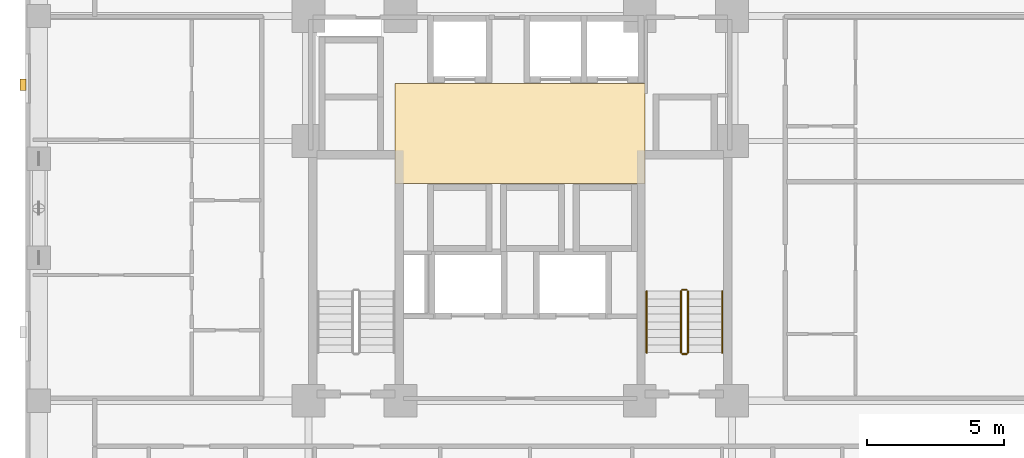
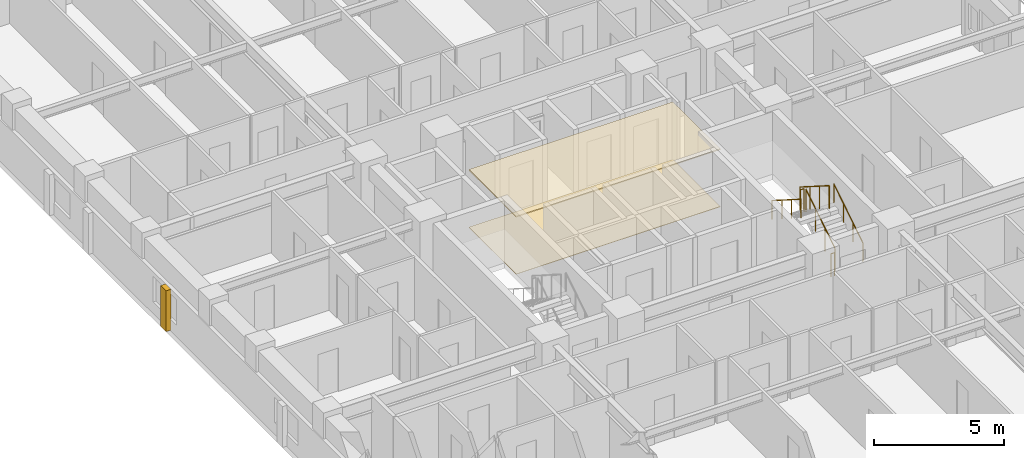
# One storey, part 13 of 14: 6 railings, 3 coverings.
"""IFC4 building model written with IfcOpenShell, lengths in metres."""

import ifcopenshell
import ifcopenshell.guid

model = None  # the IFC model being written
_history = None  # IfcOwnerHistory: only IFC2X3 demands one
_inside = {}  # id of a spatial element -> (the spatial element, [elements in it])
_under = {}  # id of a project, library or spatial element -> (it, [spatial elements below it])
_declared = {}  # id of a project -> (the project, [libraries it declares])
_typed = {}  # id of a type object -> (the type object, [elements of that type])
_made_of = {}  # id of a material, layer set ... -> (it, [elements and type objects made of it])


def new_model(schema):
    """Start an empty IFC model of exactly this schema.

    Asked for "IFC4X3", IfcOpenShell would pick the latest addendum, in which some entities
    have other attributes; the version numbers below select the first issue.
    IFC2X3 requires an IfcOwnerHistory on every rooted entity: one is made here for all.
    """
    global model, _history
    if schema == "IFC4X3":
        model = ifcopenshell.file(schema_version=(4, 3, 0, 0))
    else:
        model = ifcopenshell.file(schema=schema)
    _inside.clear()
    _under.clear()
    _declared.clear()
    _typed.clear()
    _made_of.clear()
    _history = None
    if model.schema == "IFC2X3":
        org = make("IfcOrganization", Name="unknown")
        user = make(
            "IfcPersonAndOrganization",
            ThePerson=make("IfcPerson", FamilyName="unknown"),
            TheOrganization=org,
        )
        app = make(
            "IfcApplication",
            ApplicationDeveloper=org,
            Version="unknown",
            ApplicationFullName="unknown",
            ApplicationIdentifier="unknown",
        )
        _history = make(
            "IfcOwnerHistory",
            OwningUser=user,
            OwningApplication=app,
            ChangeAction="ADDED",
            CreationDate=0,
        )
    return model


def make(cls, **values):
    """One entity of the class cls with the attributes given. An attribute that is None is left unset."""
    return model.create_entity(
        cls, **{name: value for name, value in values.items() if value is not None}
    )


def rooted(cls, **values):
    """An entity with a GlobalId (a new one), such as an element, a storey or a relation."""
    return make(cls, GlobalId=ifcopenshell.guid.new(), OwnerHistory=_history, **values)


def si_unit(unit_type, name, prefix=None):
    """IfcSIUnit, for example si_unit("LENGTHUNIT", "METRE", prefix="MILLI")."""
    return make("IfcSIUnit", UnitType=unit_type, Prefix=prefix, Name=name)


def derived_unit(unit_type, elements):
    """IfcDerivedUnit: a product of units, each with its exponent."""
    return make(
        "IfcDerivedUnit",
        Elements=[
            make("IfcDerivedUnitElement", Unit=unit, Exponent=power)
            for unit, power in elements
        ],
        UnitType=unit_type,
    )


def assignment(units):
    """IfcUnitAssignment: the units of a project."""
    return None if units is None else make("IfcUnitAssignment", Units=units)


def point(xyz):
    """IfcCartesianPoint."""
    return None if xyz is None else make("IfcCartesianPoint", Coordinates=xyz)


def direction(xyz):
    """IfcDirection."""
    return None if xyz is None else make("IfcDirection", DirectionRatios=xyz)


def frame(location, z_axis=None, x_axis=None):
    """IfcAxis2Placement3D, a coordinate frame: its origin and axes. An axis left out is left unset."""
    return make(
        "IfcAxis2Placement3D",
        Location=point(location),
        Axis=direction(z_axis),
        RefDirection=direction(x_axis),
    )


def frame_2d(location, x_axis=None):
    """IfcAxis2Placement2D, a coordinate frame in the plane: its origin and x axis."""
    return make(
        "IfcAxis2Placement2D", Location=point(location), RefDirection=direction(x_axis)
    )


def origin():
    """The frame at (0, 0, 0) with its axes left unset."""
    return frame((0.0, 0.0, 0.0))


def origin_2d():
    """The frame at (0, 0) in the plane with its x axis left unset."""
    return frame_2d((0.0, 0.0))


def place(relative_to, where):
    """IfcLocalPlacement: puts the frame where relative to a parent placement (None: the world)."""
    return make(
        "IfcLocalPlacement", PlacementRelTo=relative_to, RelativePlacement=where
    )


def context(
    kind, dimensions, precision=None, world=None, true_north=None, identifier=None
):
    """IfcGeometricRepresentationContext, for example the 3D "Model" context."""
    return make(
        "IfcGeometricRepresentationContext",
        ContextIdentifier=identifier,
        ContextType=kind,
        CoordinateSpaceDimension=dimensions,
        Precision=precision,
        WorldCoordinateSystem=world,
        TrueNorth=true_north,
    )


def subcontext(parent, identifier, kind, view, scale=None):
    """IfcGeometricRepresentationSubContext, for example "Body" below "Model"."""
    return make(
        "IfcGeometricRepresentationSubContext",
        ContextIdentifier=identifier,
        ContextType=kind,
        ParentContext=parent,
        TargetScale=scale,
        TargetView=view,
    )


def project(units=None, contexts=None):
    """IfcProject with its units and contexts."""
    return rooted(
        "IfcProject",
        Name="project",
        RepresentationContexts=contexts,
        UnitsInContext=assignment(units),
    )


def spatial(cls, under=None, at=None, **own):
    """A site, building, storey or space (cls), placed at a placement, below another one or the project."""
    s = rooted(cls, ObjectPlacement=at, **own)
    if under is not None:
        _under.setdefault(under.id(), (under, []))[1].append(s)
    return s


def polyline(points):
    """IfcPolyline through the points."""
    return make("IfcPolyline", Points=[point(p) for p in points])


def profile(cls, at=None, kind="AREA", **sizes):
    """A parametric profile (cls). Its sizes go by their IFC names, for example OverallWidth=200.0."""
    return make(cls, ProfileType=kind, Position=at, **sizes)


def rectangle(**sizes):
    """IfcRectangleProfileDef."""
    return profile("IfcRectangleProfileDef", **sizes)


def circle(**sizes):
    """IfcCircleProfileDef."""
    return profile("IfcCircleProfileDef", **sizes)


def outline(outer, holes=None, kind="AREA"):
    """IfcArbitraryClosedProfileDef: a profile drawn as a closed curve; with holes, ...WithVoids."""
    if holes is None:
        return make("IfcArbitraryClosedProfileDef", ProfileType=kind, OuterCurve=outer)
    return make(
        "IfcArbitraryProfileDefWithVoids",
        ProfileType=kind,
        OuterCurve=outer,
        InnerCurves=holes,
    )


def extrude(swept, where, along, depth):
    """IfcExtrudedAreaSolid: the profile swept, set in the frame where, extruded along a direction by depth."""
    return make(
        "IfcExtrudedAreaSolid",
        SweptArea=swept,
        Position=where,
        ExtrudedDirection=direction(along),
        Depth=depth,
    )


def shape(context_of_items, identifier, shape_type, items):
    """IfcShapeRepresentation: the items that make up one representation, for example the "Body"."""
    return make(
        "IfcShapeRepresentation",
        ContextOfItems=context_of_items,
        RepresentationIdentifier=identifier,
        RepresentationType=shape_type,
        Items=items,
    )


def material(Name=None, Category=None):
    """IfcMaterial."""
    return make("IfcMaterial", Name=Name, Category=Category)


def layer(
    of_material, thickness, ventilated=None, Name=None, Category=None, Priority=None
):
    """IfcMaterialLayer: one layer of a wall or slab, of a material (None: an air gap)."""
    return make(
        "IfcMaterialLayer",
        Material=of_material,
        LayerThickness=thickness,
        IsVentilated=ventilated,
        Name=Name,
        Category=Category,
        Priority=Priority,
    )


def layer_set(layers, Name=None):
    """IfcMaterialLayerSet."""
    return make("IfcMaterialLayerSet", MaterialLayers=layers, LayerSetName=Name)


def made_of(thing, what):
    """Note that an element or type object is made of a material, layer set ...; save() writes the relation."""
    if what is not None:
        _made_of.setdefault(what.id(), (what, []))[1].append(thing)
    return thing


def type_object(cls, material=None, **own):
    """A type object (cls), such as IfcWallType, which elements share."""
    return made_of(rooted(cls, **own), material)


def element(
    cls,
    number,
    at=None,
    inside=None,
    cuts=None,
    type_object=None,
    material=None,
    context=None,
    identifier="Body",
    shape_type=None,
    held_by="IfcProductDefinitionShape",
    body=None,
    shapes=None,
    **own,
):
    """One element of the class cls, such as IfcWall. Its Tag is "e" and its number.

    at: its placement. inside: the storey or other place that contains it. cuts: it is an
    opening in that element (IfcRelVoidsElement). A single representation is given by context,
    identifier, shape_type and body (its items); several are given by shapes. held_by: the class
    of the entity that holds the representations. save() writes the other relations.
    """
    e = rooted(cls, Tag="e%d" % number, ObjectPlacement=at, **own)
    if body is not None:
        shapes = [shape(context, identifier, shape_type, body)]
    if shapes is not None:
        e.Representation = make(held_by, Representations=shapes)
    if inside is not None:
        _inside.setdefault(inside.id(), (inside, []))[1].append(e)
    if cuts is not None:
        rooted(
            "IfcRelVoidsElement", RelatingBuildingElement=cuts, RelatedOpeningElement=e
        )
    if type_object is not None:
        _typed.setdefault(type_object.id(), (type_object, []))[1].append(e)
    return made_of(e, material)


def aggregate(whole, parts):
    """IfcRelAggregates: a whole, such as a stair, and the parts it consists of."""
    return rooted("IfcRelAggregates", RelatingObject=whole, RelatedObjects=parts)


def save(model, path):
    """Write the relations noted so far, then the file.

    IfcRelAggregates (storeys below a building ...), IfcRelContainedInSpatialStructure (elements
    in a storey), IfcRelDefinesByType, IfcRelAssociatesMaterial and IfcRelDeclares: one each for
    every whole, place, type object, material and project.
    """
    for whole, parts in _under.values():
        aggregate(whole, parts)
    for where, things in _inside.values():
        rooted(
            "IfcRelContainedInSpatialStructure",
            RelatedElements=things,
            RelatingStructure=where,
        )
    for kind, things in _typed.values():
        rooted("IfcRelDefinesByType", RelatedObjects=things, RelatingType=kind)
    for what, things in _made_of.values():
        rooted("IfcRelAssociatesMaterial", RelatedObjects=things, RelatingMaterial=what)
    for by, libraries in _declared.values():
        rooted("IfcRelDeclares", RelatingContext=by, RelatedDefinitions=libraries)
    model.write(path)


model = new_model("IFC4")

# Units and contexts
model_context = context("Model", 3, precision=1e-05, world=origin(), true_north=direction((0.0, 1.0)))
body_context = subcontext(model_context, "Body", "Model", "MODEL_VIEW")
ifc_project = project(units=[si_unit("LENGTHUNIT", "METRE"), si_unit("AREAUNIT", "SQUARE_METRE"), si_unit("VOLUMEUNIT", "CUBIC_METRE"), si_unit("PLANEANGLEUNIT", "RADIAN"), si_unit("MASSUNIT", "GRAM", prefix="KILO"), derived_unit("THERMALTRANSMITTANCEUNIT", [(si_unit("MASSUNIT", "GRAM", prefix="KILO"), 1), (si_unit("TIMEUNIT", "SECOND"), -3), (si_unit("THERMODYNAMICTEMPERATUREUNIT", "KELVIN"), -1)])], contexts=[model_context])

# Site, building, storey
site_placement = place(None, origin())
site = spatial("IfcSite", under=ifc_project, at=site_placement, CompositionType="ELEMENT")
building_placement = place(site_placement, origin())
building = spatial("IfcBuilding", under=site, at=building_placement, Name="Korrvale Station Residences", CompositionType="ELEMENT")
storey_placement = place(building_placement, frame((0.0, 0.0, 48.199951171875)))
storey = spatial("IfcBuildingStorey", under=building, at=storey_placement, Name="L12", CompositionType="ELEMENT", Elevation=48.199951171875)

# Coverings
ifc_material_1 = material(Name="Perforated acoustic mineral-fibre suspended ceiling", Category="gypsum")
ifc_layer_1 = layer(ifc_material_1, 0.050048828125, Name="Perforated acoustic mineral-fibre suspended ceiling")
ifc_layer_set_1 = layer_set([ifc_layer_1], Name="Perforated acoustic mineral-fibre suspended ceiling")
covering_type_1 = type_object("IfcCoveringType", Name="COV-CLG-AC60", PredefinedType="CEILING", material=ifc_layer_set_1)
covering_1_placement = place(storey_placement, frame((0.0, 0.0, 2.68994140625)))
element("IfcCovering", 1, at=covering_1_placement, inside=storey, type_object=covering_type_1, Name="L12 Elevator Lobby Acoustic Ceiling", PredefinedType="CEILING", context=body_context, shape_type="SweptSolid", body=[
    extrude(outline(polyline([(20.949951171875, 22.89990234375), (30.050048828125, 22.89990234375), (30.050048828125, 26.550048828125), (20.949951171875, 26.550048828125), (20.949951171875, 22.89990234375)])), origin(), (0.0, 0.0, 1.0), 0.050048828125),
])
ifc_material_2 = material(Name="Polished quartz-terrazzo lobby flooring", Category="masonry")
ifc_layer_2 = layer(ifc_material_2, 0.02001953125, Name="Polished quartz-terrazzo lobby flooring")
ifc_layer_set_2 = layer_set([ifc_layer_2], Name="Polished quartz-terrazzo lobby flooring")
covering_type_2 = type_object("IfcCoveringType", Name="COV-FLR-TER20", PredefinedType="FLOORING", material=ifc_layer_set_2)
covering_2_placement = place(storey_placement, origin())
element("IfcCovering", 2, at=covering_2_placement, inside=storey, type_object=covering_type_2, Name="L12 Elevator Lobby Terrazzo Flooring", PredefinedType="FLOORING", context=body_context, shape_type="SweptSolid", body=[
    extrude(outline(polyline([(20.949951171875, 22.89990234375), (30.050048828125, 22.89990234375), (30.050048828125, 26.550048828125), (20.949951171875, 26.550048828125), (20.949951171875, 22.89990234375)])), origin(), (0.0, 0.0, 1.0), 0.02001953125),
])
ifc_material_3 = material(Name="Architectural precast concrete C45/55", Category="concrete")
ifc_layer_3 = layer(ifc_material_3, 0.219970703125, Name="Architectural precast concrete C45/55")
ifc_layer_set_3 = layer_set([ifc_layer_3], Name="Architectural precast concrete C45/55")
covering_type_3 = type_object("IfcCoveringType", Name="COV-PIER-400", PredefinedType="CLADDING", material=ifc_layer_set_3)
covering_3_placement = place(storey_placement, frame((7.409912109375, 26.5, 0.02490234375), z_axis=(0.0, 0.0, 1.0), x_axis=(0.0, 1.0, 0.0)))
element("IfcCovering", 3, at=covering_3_placement, inside=storey, type_object=covering_type_3, Name="L12 Architectural Precast Facade Pier 14", PredefinedType="CLADDING", context=body_context, shape_type="SweptSolid", body=[
    extrude(rectangle(XDim=0.419921875, YDim=0.219970703125, at=origin_2d()), origin(), (0.0, 0.0, 1.0), 1.925048828125),
])

# Railings
ifc_material_4 = material(Name="Brushed stainless-steel continuous stair handrail", Category="steel")
railing_type_1 = type_object("IfcRailingType", Name="RLG-SHND-900", PredefinedType="HANDRAIL", material=ifc_material_4)
railing_1_placement = place(storey_placement, frame((32.85009765625, 16.75, 0.177734375)))
element("IfcRailing", 4, at=railing_1_placement, inside=storey, type_object=railing_type_1, Name="L12 ST-2 stair handrail 1", PredefinedType="HANDRAIL", context=body_context, shape_type="SweptSolid", body=[
    extrude(circle(Radius=0.02392578125, at=origin_2d()), frame((0.0, 0.0, 0.8759765625), z_axis=(0.0, 0.84418770128, 0.536047689118), x_axis=(-1.0, 0.0, 0.0)), (0.0, 0.0, 1.0), 2.6533203125),
    extrude(circle(Radius=0.02099609375, at=origin_2d()), origin(), (0.0, 0.0, 1.0), 0.851806640625),
    extrude(circle(Radius=0.02099609375, at=origin_2d()), frame((0.0, 0.74658203125, 0.47412109375)), (0.0, 0.0, 1.0), 0.851806640625),
    extrude(circle(Radius=0.02099609375, at=origin_2d()), frame((0.0, 1.493408203125, 0.9482421875)), (0.0, 0.0, 1.0), 0.851806640625),
    extrude(circle(Radius=0.02099609375, at=origin_2d()), frame((0.0, 2.239990234375, 1.42236328125)), (0.0, 0.0, 1.0), 0.851806640625),
])
railing_2_placement = place(storey_placement, frame((30.10009765625, 18.989990234375, 1.77783203125)))
element("IfcRailing", 5, at=railing_2_placement, inside=storey, type_object=railing_type_1, Name="L12 ST-2 stair handrail 2", PredefinedType="HANDRAIL", context=body_context, shape_type="SweptSolid", body=[
    extrude(circle(Radius=0.02392578125, at=origin_2d()), frame((0.0, 0.0, 0.8759765625), z_axis=(0.0, -0.8442293374, 0.53598211339), x_axis=(1.0, 0.0, 0.0)), (0.0, 0.0, 1.0), 2.6533203125),
    extrude(circle(Radius=0.02099609375, at=origin_2d()), origin(), (0.0, 0.0, 1.0), 0.851806640625),
    extrude(circle(Radius=0.02099609375, at=origin_2d()), frame((0.0, -0.74658203125, 0.47412109375)), (0.0, 0.0, 1.0), 0.851806640625),
    extrude(circle(Radius=0.02099609375, at=origin_2d()), frame((0.0, -1.493408203125, 0.947998046875)), (0.0, 0.0, 1.0), 0.851806640625),
    extrude(circle(Radius=0.02099609375, at=origin_2d()), frame((0.0, -2.239990234375, 1.422119140625)), (0.0, 0.0, 1.0), 0.851806640625),
])
ifc_material_5 = material(Name="Galvanised painted tubular steel stair guard", Category="steel")
railing_type_2 = type_object("IfcRailingType", Name="RLG-STR-1100", PredefinedType="GUARDRAIL", material=ifc_material_5)
railing_3_placement = place(storey_placement, frame((31.60009765625, 16.75, 0.177734375)))
element("IfcRailing", 6, at=railing_3_placement, inside=storey, type_object=railing_type_2, Name="L12 ST-2 stair guard 1", PredefinedType="GUARDRAIL", context=body_context, shape_type="SweptSolid", body=[
    extrude(circle(Radius=0.02392578125, at=origin_2d()), frame((0.0, 0.0, 1.076171875), z_axis=(0.0, 0.84418770128, 0.536047689118), x_axis=(-1.0, 0.0, 0.0)), (0.0, 0.0, 1.0), 2.6533203125),
    extrude(circle(Radius=0.02099609375, at=origin_2d()), origin(), (0.0, 0.0, 1.0), 1.052001953125),
    extrude(circle(Radius=0.02099609375, at=origin_2d()), frame((0.0, 0.74658203125, 0.47412109375)), (0.0, 0.0, 1.0), 1.052001953125),
    extrude(circle(Radius=0.02099609375, at=origin_2d()), frame((0.0, 1.493408203125, 0.9482421875)), (0.0, 0.0, 1.0), 1.052001953125),
    extrude(circle(Radius=0.02099609375, at=origin_2d()), frame((0.0, 2.239990234375, 1.42236328125)), (0.0, 0.0, 1.0), 1.052001953125),
])
railing_4_placement = place(storey_placement, frame((31.550048828125, 19.0400390625, 1.60009765625)))
element("IfcRailing", 7, at=railing_4_placement, inside=storey, type_object=railing_type_2, Name="L12 ST-2 stair guard 2", PredefinedType="GUARDRAIL", context=body_context, shape_type="SweptSolid", body=[
    extrude(circle(Radius=0.02392578125, at=origin_2d()), frame((0.0, 0.0, 1.076171875), z_axis=(-1.0, 0.0, 0.0), x_axis=(0.0, -1.0, 0.0)), (0.0, 0.0, 1.0), 0.150146484375),
    extrude(circle(Radius=0.02099609375, at=origin_2d()), origin(), (0.0, 0.0, 1.0), 1.052001953125),
    extrude(circle(Radius=0.02099609375, at=origin_2d()), frame((-0.150146484375, 0.0, 0.0)), (0.0, 0.0, 1.0), 1.052001953125),
])
railing_5_placement = place(storey_placement, frame((31.35009765625, 18.989990234375, 1.77783203125)))
element("IfcRailing", 8, at=railing_5_placement, inside=storey, type_object=railing_type_2, Name="L12 ST-2 stair guard 3", PredefinedType="GUARDRAIL", context=body_context, shape_type="SweptSolid", body=[
    extrude(circle(Radius=0.02392578125, at=origin_2d()), frame((0.0, 0.0, 1.076171875), z_axis=(0.0, -0.8442293374, 0.53598211339), x_axis=(1.0, 0.0, 0.0)), (0.0, 0.0, 1.0), 2.6533203125),
    extrude(circle(Radius=0.02099609375, at=origin_2d()), origin(), (0.0, 0.0, 1.0), 1.052001953125),
    extrude(circle(Radius=0.02099609375, at=origin_2d()), frame((0.0, -0.74658203125, 0.47412109375)), (0.0, 0.0, 1.0), 1.052001953125),
    extrude(circle(Radius=0.02099609375, at=origin_2d()), frame((0.0, -1.493408203125, 0.947998046875)), (0.0, 0.0, 1.0), 1.052001953125),
    extrude(circle(Radius=0.02099609375, at=origin_2d()), frame((0.0, -2.239990234375, 1.422119140625)), (0.0, 0.0, 1.0), 1.052001953125),
])
railing_6_placement = place(storey_placement, frame((31.550048828125, 16.699951171875, 0.0)))
element("IfcRailing", 9, at=railing_6_placement, inside=storey, type_object=railing_type_2, Name="L12 ST-2 stair guard 4", PredefinedType="GUARDRAIL", context=body_context, shape_type="SweptSolid", body=[
    extrude(circle(Radius=0.02392578125, at=origin_2d()), frame((0.0, 0.0, 1.076171875), z_axis=(-1.0, 0.0, 0.0), x_axis=(0.0, -1.0, 0.0)), (0.0, 0.0, 1.0), 0.150146484375),
    extrude(circle(Radius=0.02099609375, at=origin_2d()), origin(), (0.0, 0.0, 1.0), 1.052001953125),
    extrude(circle(Radius=0.02099609375, at=origin_2d()), frame((-0.150146484375, 0.0, 0.0)), (0.0, 0.0, 1.0), 1.052001953125),
])

save(model, "model.ifc")
